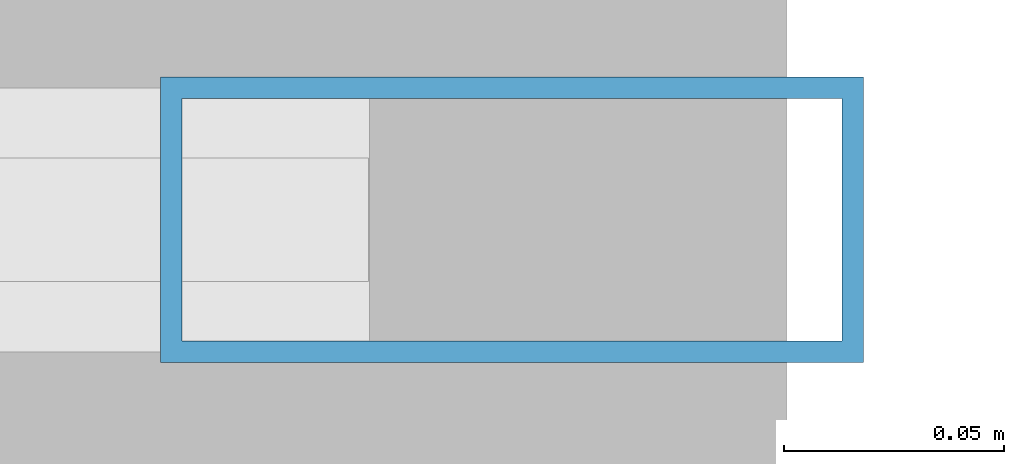
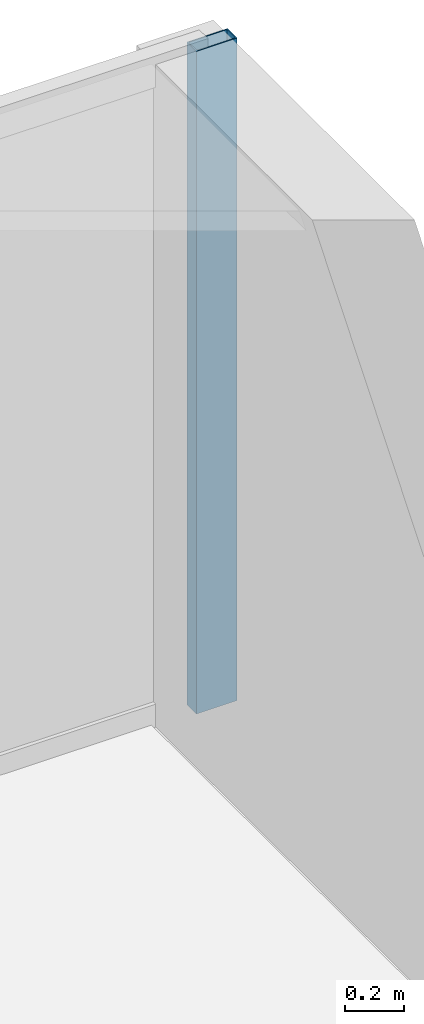
# One storey, part 26 of 37: 1 member, 1 element without a shape of its own.
"""IFC4 building model written with IfcOpenShell, lengths in metres."""

from ifc_helpers import new_model, si_unit, direction, frame, origin, origin_2d, place, context, subcontext, project, spatial, hollow_rectangle, extrude, source, transform, mapped, material, layer, layer_set, material_profile, profile_set, type_object, element, aggregate, save


model = new_model("IFC4")

# Units and contexts
model_context = context("Model", 3, precision=1e-05, world=origin(), true_north=direction((0.0, 1.0)))
body_context = subcontext(model_context, "Body", "Model", "MODEL_VIEW")
ifc_project = project(units=[si_unit("LENGTHUNIT", "METRE"), si_unit("AREAUNIT", "SQUARE_METRE"), si_unit("VOLUMEUNIT", "CUBIC_METRE"), si_unit("PLANEANGLEUNIT", "RADIAN"), si_unit("MASSUNIT", "GRAM", prefix="KILO")], contexts=[model_context])

# Site, building, storey
site_placement = place(None, origin())
site = spatial("IfcSite", under=ifc_project, at=site_placement, CompositionType="ELEMENT")
building_placement = place(site_placement, origin())
building = spatial("IfcBuilding", under=site, at=building_placement, Name="Sumidabori Civic Tower", CompositionType="ELEMENT")
storey_placement = place(building_placement, frame((0.0, 0.0, 88.39990234375)))
storey = spatial("IfcBuildingStorey", under=building, at=storey_placement, Name="L22", CompositionType="ELEMENT", Elevation=88.39990234375)

# Curtain wall, member
ifc_material = material(Name="Anodised Bronze Aluminium AW-6063-T6", Category="aluminium")
ifc_layer = layer(ifc_material, 0.179931640625, Name="Anodised Bronze Aluminium AW-6063-T6")
ifc_layer_set = layer_set([ifc_layer], Name="Anodised Bronze Aluminium AW-6063-T6")
curtain_wall_type = type_object("IfcCurtainWallType", Name="CW-SYS-3", PredefinedType="NOTDEFINED", material=ifc_layer_set)
curtain_wall_placement = place(storey_placement, origin())
curtain_wall = element("IfcCurtainWall", 1, at=curtain_wall_placement, inside=storey, type_object=curtain_wall_type, Name="Curtain Wall CW:L22:R07", PredefinedType="NOTDEFINED")
ifc_material_profile = material_profile(ifc_material, hollow_rectangle(XDim=0.06494140625, YDim=0.159912109375, WallThickness=0.0048828125, at=origin_2d()), Name="ALU MULLION 160x65")
ifc_profile_set = profile_set([ifc_material_profile], Name="Anodised Bronze Aluminium AW-6063-T6")
member_type = type_object("IfcMemberType", Name="CW-MUL-160", PredefinedType="MULLION", material=ifc_profile_set)
shared_shape = source(origin(), body_context, "Body", "SweptSolid", [
    extrude(hollow_rectangle(XDim=0.06494140625, YDim=0.159912109375, WallThickness=0.0048828125, at=origin_2d()), origin(), (0.0, 0.0, 1.0), 2.739990234375),
])
member_placement = place(storey_placement, frame((20.1875, 25.280029296875, 0.0), z_axis=(0.0, 0.0, 1.0), x_axis=(0.0, -1.0, 0.0)))
member = element("IfcMember", 2, at=member_placement, type_object=member_type, Name="CW-3 mullion 1", PredefinedType="MULLION", context=body_context, shape_type="MappedRepresentation", body=[
    mapped(shared_shape, transform((0.0, 0.0, 0.0), x_axis=(1.0, 0.0, 0.0), y_axis=(0.0, 1.0, 0.0), z_axis=(0.0, 0.0, 1.0), scale=1.0)),
])
aggregate(curtain_wall, [member])

save(model, "model.ifc")
